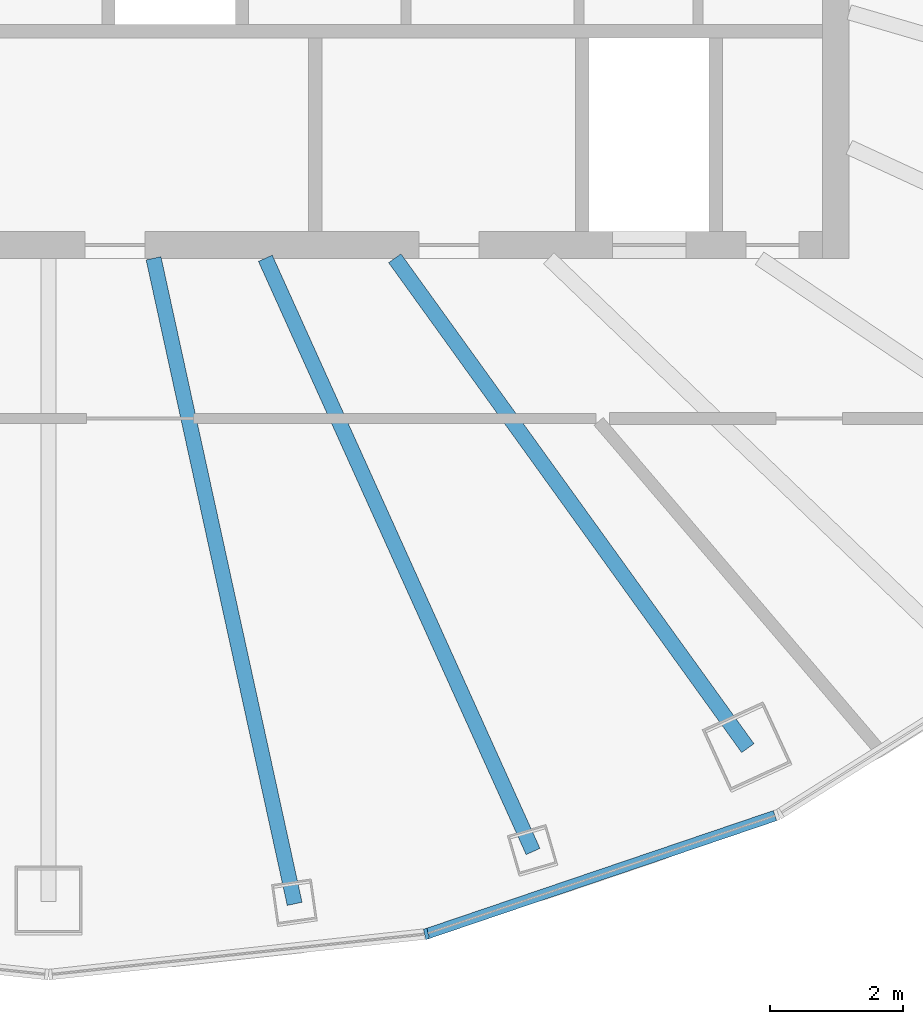
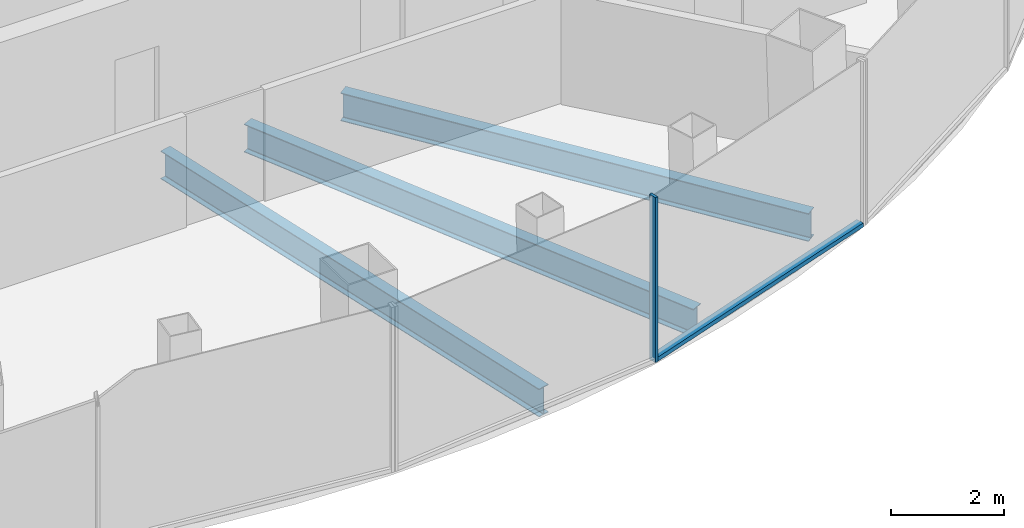
# One storey, part 3 of 11: 3 beams, 2 members, 1 element without a shape of its own.
"""IFC4 building model written with IfcOpenShell, lengths in metres."""

from ifc_helpers import new_model, si_unit, direction, frame, origin, origin_2d, place, context, subcontext, project, spatial, rectangle, i_section, extrude, material, layer, layer_set, material_profile, profile_set, type_object, element, aggregate, save


model = new_model("IFC4")

# Units and contexts
model_context = context("Model", 3, precision=1e-05, world=origin(), true_north=direction((0.0, 1.0)))
body_context = subcontext(model_context, "Body", "Model", "MODEL_VIEW")
ifc_project = project(units=[si_unit("LENGTHUNIT", "METRE"), si_unit("AREAUNIT", "SQUARE_METRE"), si_unit("VOLUMEUNIT", "CUBIC_METRE"), si_unit("PLANEANGLEUNIT", "RADIAN"), si_unit("MASSUNIT", "GRAM", prefix="KILO")], contexts=[model_context])

# Site, building, storey
site_placement = place(None, origin())
site = spatial("IfcSite", under=ifc_project, at=site_placement, CompositionType="ELEMENT")
building_placement = place(site_placement, origin())
building = spatial("IfcBuilding", under=site, at=building_placement, Name="Siaravel Broadcast Tower", CompositionType="ELEMENT")
storey_placement = place(building_placement, frame((0.0, 0.0, 220.800048828125)))
storey = spatial("IfcBuildingStorey", under=building, at=storey_placement, Name="L53", CompositionType="ELEMENT", Elevation=220.800048828125)

# Beams
ifc_material_1 = material(Name="Steel S355", Category="steel")
ifc_material_profile_1 = material_profile(ifc_material_1, i_section(OverallWidth=0.2275390625, OverallDepth=0.6025390625, WebThickness=0.010498046875, FlangeThickness=0.014892578125, FilletRadius=0.0126953125, at=origin_2d()))
ifc_profile_set_1 = profile_set([ifc_material_profile_1], Name="Steel S355")
beam_type = type_object("IfcBeamType", Name="BM-UB 610x229x101", PredefinedType="BEAM", material=ifc_profile_set_1)
beam_1_placement = place(storey_placement, frame((3.688720703125, -16.87451171875, -0.451416015625), z_axis=(-0.213546154, 0.976932976, 0.0), x_axis=(-0.976932976, -0.213546154, 0.0)))
element("IfcBeam", 1, at=beam_1_placement, inside=storey, type_object=beam_type, Name="Radial beam RB29", PredefinedType="BEAM", context=body_context, shape_type="SweptSolid", body=[
    extrude(i_section(OverallWidth=0.2275390625, OverallDepth=0.6025390625, WebThickness=0.010498046875, FlangeThickness=0.014892578125, FilletRadius=0.0126953125, at=origin_2d()), origin(), (0.0, 0.0, 1.0), 9.903076171875),
])
beam_2_placement = place(storey_placement, frame((7.26171875, -16.09033203125, -0.451416015625), z_axis=(-0.411347958, 0.911478391, 0.0), x_axis=(-0.911478391, -0.411347958, 0.0)))
element("IfcBeam", 2, at=beam_2_placement, inside=storey, type_object=beam_type, Name="Radial beam RB30", PredefinedType="BEAM", context=body_context, shape_type="SweptSolid", body=[
    extrude(i_section(OverallWidth=0.2275390625, OverallDepth=0.6025390625, WebThickness=0.010498046875, FlangeThickness=0.014892578125, FilletRadius=0.0126953125, at=origin_2d()), origin(), (0.0, 0.0, 1.0), 9.75390625),
])
beam_3_placement = place(storey_placement, frame((10.479736328125, -14.541015625, -0.451416015625), z_axis=(-0.584665734, 0.811274294, 0.0), x_axis=(-0.811274294, -0.584665734, 0.0)))
element("IfcBeam", 3, at=beam_3_placement, inside=storey, type_object=beam_type, Name="Radial beam RB31", PredefinedType="BEAM", context=body_context, shape_type="SweptSolid", body=[
    extrude(i_section(OverallWidth=0.2275390625, OverallDepth=0.6025390625, WebThickness=0.010498046875, FlangeThickness=0.014892578125, FilletRadius=0.0126953125, at=origin_2d()), origin(), (0.0, 0.0, 1.0), 9.048828125),
])

# Curtain wall, members
ifc_material_2 = material(Name="Aluminium 6063-T6", Category="aluminium")
ifc_layer = layer(ifc_material_2, 0.159912109375)
ifc_layer_set = layer_set([ifc_layer], Name="Aluminium 6063-T6")
curtain_wall_type = type_object("IfcCurtainWallType", Name="Unitised curtain wall, zone 4", PredefinedType="NOTDEFINED", material=ifc_layer_set)
curtain_wall_placement = place(storey_placement, origin())
curtain_wall = element("IfcCurtainWall", 4, at=curtain_wall_placement, inside=storey, type_object=curtain_wall_type, Name="L53 Unitised curtain wall, zone 4 10", PredefinedType="NOTDEFINED")
ifc_material_profile_2 = material_profile(ifc_material_2, rectangle(XDim=0.159912109375, YDim=0.054931640625, at=origin_2d()))
ifc_profile_set_2 = profile_set([ifc_material_profile_2], Name="Aluminium 6063-T6")
member_type_1 = type_object("IfcMemberType", Name="CW-Z4 mullion", PredefinedType="MULLION", material=ifc_profile_set_2)
member_1_placement = place(storey_placement, frame((5.662353515625, -17.32568359375, 0.0), z_axis=(0.0, 0.0, 1.0), x_axis=(-0.215558493, 0.97649093, 0.0)))
member_1 = element("IfcMember", 5, at=member_1_placement, type_object=member_type_1, Name="CW-Z4 mullion 2", PredefinedType="MULLION", context=body_context, shape_type="SweptSolid", body=[
    extrude(rectangle(XDim=0.159912109375, YDim=0.054931640625, at=origin_2d()), origin(), (0.0, 0.0, 1.0), 3.550048828125),
])
ifc_material_profile_3 = material_profile(ifc_material_2, rectangle(XDim=0.159912109375, YDim=0.090087890625, at=origin_2d()))
ifc_profile_set_3 = profile_set([ifc_material_profile_3], Name="Aluminium 6063-T6")
member_type_2 = type_object("IfcMemberType", Name="CW-Z4 transom", PredefinedType="USERDEFINED", material=ifc_profile_set_3)
member_2_placement = place(storey_placement, frame((5.6884765625, -17.31689453125, 0.044921875), z_axis=(0.946979908, 0.321292784, 0.0), x_axis=(-0.321292784, 0.946979908, 0.0)))
member_2 = element("IfcMember", 6, at=member_2_placement, type_object=member_type_2, Name="CW-Z4 transom 2", ObjectType="TRANSOM", PredefinedType="USERDEFINED", context=body_context, shape_type="SweptSolid", body=[
    extrude(rectangle(XDim=0.159912109375, YDim=0.090087890625, at=origin_2d()), origin(), (0.0, 0.0, 1.0), 5.489990234375),
])
aggregate(curtain_wall, [member_1, member_2])

save(model, "model.ifc")
